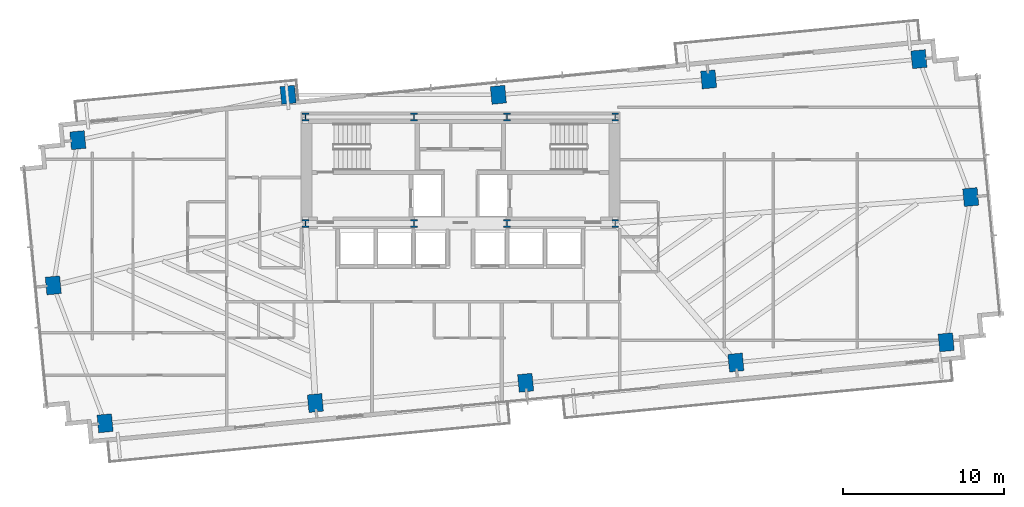
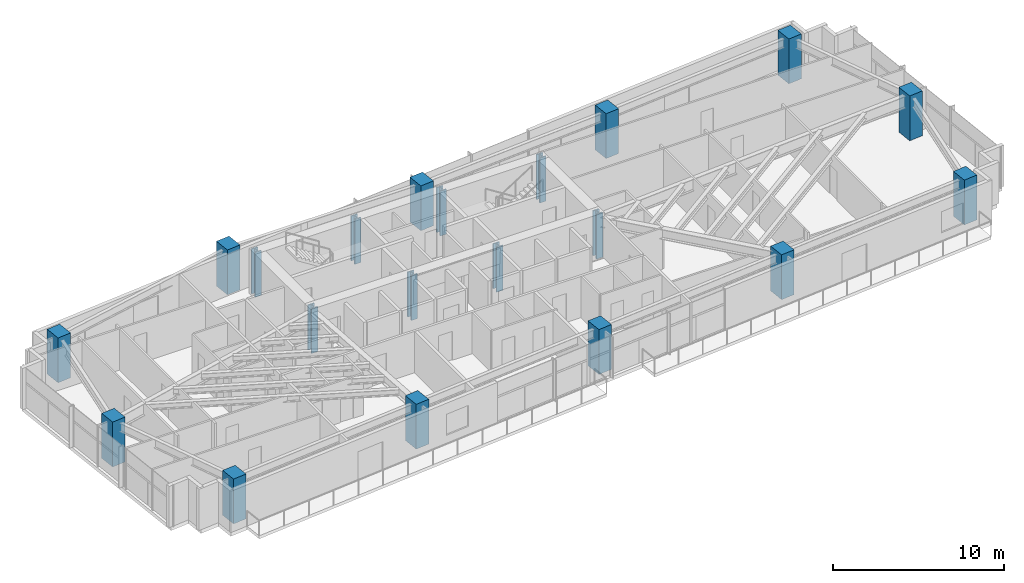
# One storey, part 1 of 25: 20 columns.
"""IFC4 building model written with IfcOpenShell, lengths in metres."""

import ifcopenshell
import ifcopenshell.guid

model = None  # the IFC model being written
_history = None  # IfcOwnerHistory: only IFC2X3 demands one
_inside = {}  # id of a spatial element -> (the spatial element, [elements in it])
_under = {}  # id of a project, library or spatial element -> (it, [spatial elements below it])
_declared = {}  # id of a project -> (the project, [libraries it declares])
_typed = {}  # id of a type object -> (the type object, [elements of that type])
_made_of = {}  # id of a material, layer set ... -> (it, [elements and type objects made of it])


def new_model(schema):
    """Start an empty IFC model of exactly this schema.

    Asked for "IFC4X3", IfcOpenShell would pick the latest addendum, in which some entities
    have other attributes; the version numbers below select the first issue.
    IFC2X3 requires an IfcOwnerHistory on every rooted entity: one is made here for all.
    """
    global model, _history
    if schema == "IFC4X3":
        model = ifcopenshell.file(schema_version=(4, 3, 0, 0))
    else:
        model = ifcopenshell.file(schema=schema)
    _inside.clear()
    _under.clear()
    _declared.clear()
    _typed.clear()
    _made_of.clear()
    _history = None
    if model.schema == "IFC2X3":
        org = make("IfcOrganization", Name="unknown")
        user = make(
            "IfcPersonAndOrganization",
            ThePerson=make("IfcPerson", FamilyName="unknown"),
            TheOrganization=org,
        )
        app = make(
            "IfcApplication",
            ApplicationDeveloper=org,
            Version="unknown",
            ApplicationFullName="unknown",
            ApplicationIdentifier="unknown",
        )
        _history = make(
            "IfcOwnerHistory",
            OwningUser=user,
            OwningApplication=app,
            ChangeAction="ADDED",
            CreationDate=0,
        )
    return model


def make(cls, **values):
    """One entity of the class cls with the attributes given. An attribute that is None is left unset."""
    return model.create_entity(
        cls, **{name: value for name, value in values.items() if value is not None}
    )


def rooted(cls, **values):
    """An entity with a GlobalId (a new one), such as an element, a storey or a relation."""
    return make(cls, GlobalId=ifcopenshell.guid.new(), OwnerHistory=_history, **values)


def si_unit(unit_type, name, prefix=None):
    """IfcSIUnit, for example si_unit("LENGTHUNIT", "METRE", prefix="MILLI")."""
    return make("IfcSIUnit", UnitType=unit_type, Prefix=prefix, Name=name)


def assignment(units):
    """IfcUnitAssignment: the units of a project."""
    return None if units is None else make("IfcUnitAssignment", Units=units)


def point(xyz):
    """IfcCartesianPoint."""
    return None if xyz is None else make("IfcCartesianPoint", Coordinates=xyz)


def direction(xyz):
    """IfcDirection."""
    return None if xyz is None else make("IfcDirection", DirectionRatios=xyz)


def frame(location, z_axis=None, x_axis=None):
    """IfcAxis2Placement3D, a coordinate frame: its origin and axes. An axis left out is left unset."""
    return make(
        "IfcAxis2Placement3D",
        Location=point(location),
        Axis=direction(z_axis),
        RefDirection=direction(x_axis),
    )


def frame_2d(location, x_axis=None):
    """IfcAxis2Placement2D, a coordinate frame in the plane: its origin and x axis."""
    return make(
        "IfcAxis2Placement2D", Location=point(location), RefDirection=direction(x_axis)
    )


def origin():
    """The frame at (0, 0, 0) with its axes left unset."""
    return frame((0.0, 0.0, 0.0))


def origin_2d():
    """The frame at (0, 0) in the plane with its x axis left unset."""
    return frame_2d((0.0, 0.0))


def place(relative_to, where):
    """IfcLocalPlacement: puts the frame where relative to a parent placement (None: the world)."""
    return make(
        "IfcLocalPlacement", PlacementRelTo=relative_to, RelativePlacement=where
    )


def context(
    kind, dimensions, precision=None, world=None, true_north=None, identifier=None
):
    """IfcGeometricRepresentationContext, for example the 3D "Model" context."""
    return make(
        "IfcGeometricRepresentationContext",
        ContextIdentifier=identifier,
        ContextType=kind,
        CoordinateSpaceDimension=dimensions,
        Precision=precision,
        WorldCoordinateSystem=world,
        TrueNorth=true_north,
    )


def subcontext(parent, identifier, kind, view, scale=None):
    """IfcGeometricRepresentationSubContext, for example "Body" below "Model"."""
    return make(
        "IfcGeometricRepresentationSubContext",
        ContextIdentifier=identifier,
        ContextType=kind,
        ParentContext=parent,
        TargetScale=scale,
        TargetView=view,
    )


def project(units=None, contexts=None):
    """IfcProject with its units and contexts."""
    return rooted(
        "IfcProject",
        Name="project",
        RepresentationContexts=contexts,
        UnitsInContext=assignment(units),
    )


def spatial(cls, under=None, at=None, **own):
    """A site, building, storey or space (cls), placed at a placement, below another one or the project."""
    s = rooted(cls, ObjectPlacement=at, **own)
    if under is not None:
        _under.setdefault(under.id(), (under, []))[1].append(s)
    return s


def profile(cls, at=None, kind="AREA", **sizes):
    """A parametric profile (cls). Its sizes go by their IFC names, for example OverallWidth=200.0."""
    return make(cls, ProfileType=kind, Position=at, **sizes)


def rectangle(**sizes):
    """IfcRectangleProfileDef."""
    return profile("IfcRectangleProfileDef", **sizes)


def i_section(**sizes):
    """IfcIShapeProfileDef."""
    return profile("IfcIShapeProfileDef", **sizes)


def extrude(swept, where, along, depth):
    """IfcExtrudedAreaSolid: the profile swept, set in the frame where, extruded along a direction by depth."""
    return make(
        "IfcExtrudedAreaSolid",
        SweptArea=swept,
        Position=where,
        ExtrudedDirection=direction(along),
        Depth=depth,
    )


def shape(context_of_items, identifier, shape_type, items):
    """IfcShapeRepresentation: the items that make up one representation, for example the "Body"."""
    return make(
        "IfcShapeRepresentation",
        ContextOfItems=context_of_items,
        RepresentationIdentifier=identifier,
        RepresentationType=shape_type,
        Items=items,
    )


def source(mapping_origin, context_of_items, identifier, shape_type, items):
    """IfcRepresentationMap: a shape defined once, which mapped items show again and again."""
    return make(
        "IfcRepresentationMap",
        MappingOrigin=mapping_origin,
        MappedRepresentation=shape(context_of_items, identifier, shape_type, items),
    )


def transform(
    local_origin,
    x_axis=None,
    y_axis=None,
    z_axis=None,
    scale=None,
    scale2=None,
    scale3=None,
    uniform=True,
):
    """IfcCartesianTransformationOperator3D, or its non-uniform kind. x_axis, y_axis, z_axis: its Axis1, 2, 3."""
    if uniform:
        return make(
            "IfcCartesianTransformationOperator3D",
            Axis1=direction(x_axis),
            Axis2=direction(y_axis),
            LocalOrigin=point(local_origin),
            Scale=scale,
            Axis3=direction(z_axis),
        )
    return make(
        "IfcCartesianTransformationOperator3DnonUniform",
        Axis1=direction(x_axis),
        Axis2=direction(y_axis),
        LocalOrigin=point(local_origin),
        Scale=scale,
        Axis3=direction(z_axis),
        Scale2=scale2,
        Scale3=scale3,
    )


def mapped(mapping_source, mapping_target):
    """IfcMappedItem: shows the shape of a source again, moved by a transform."""
    return make(
        "IfcMappedItem", MappingSource=mapping_source, MappingTarget=mapping_target
    )


def material(Name=None, Category=None):
    """IfcMaterial."""
    return make("IfcMaterial", Name=Name, Category=Category)


def material_profile(
    of_material, cross_section, Name=None, Category=None, Priority=None
):
    """IfcMaterialProfile: a cross section and its material."""
    return make(
        "IfcMaterialProfile",
        Name=Name,
        Material=of_material,
        Profile=cross_section,
        Priority=Priority,
        Category=Category,
    )


def profile_set(profiles, Name=None, composite=None):
    """IfcMaterialProfileSet."""
    return make(
        "IfcMaterialProfileSet",
        Name=Name,
        MaterialProfiles=profiles,
        CompositeProfile=composite,
    )


def made_of(thing, what):
    """Note that an element or type object is made of a material, layer set ...; save() writes the relation."""
    if what is not None:
        _made_of.setdefault(what.id(), (what, []))[1].append(thing)
    return thing


def type_object(cls, material=None, **own):
    """A type object (cls), such as IfcWallType, which elements share."""
    return made_of(rooted(cls, **own), material)


def type_shapes(of_type, sources):
    """Give a type object the sources (RepresentationMaps) that its elements show as mapped items."""
    of_type.RepresentationMaps = sources


def element(
    cls,
    number,
    at=None,
    inside=None,
    cuts=None,
    type_object=None,
    material=None,
    context=None,
    identifier="Body",
    shape_type=None,
    held_by="IfcProductDefinitionShape",
    body=None,
    shapes=None,
    **own,
):
    """One element of the class cls, such as IfcWall. Its Tag is "e" and its number.

    at: its placement. inside: the storey or other place that contains it. cuts: it is an
    opening in that element (IfcRelVoidsElement). A single representation is given by context,
    identifier, shape_type and body (its items); several are given by shapes. held_by: the class
    of the entity that holds the representations. save() writes the other relations.
    """
    e = rooted(cls, Tag="e%d" % number, ObjectPlacement=at, **own)
    if body is not None:
        shapes = [shape(context, identifier, shape_type, body)]
    if shapes is not None:
        e.Representation = make(held_by, Representations=shapes)
    if inside is not None:
        _inside.setdefault(inside.id(), (inside, []))[1].append(e)
    if cuts is not None:
        rooted(
            "IfcRelVoidsElement", RelatingBuildingElement=cuts, RelatedOpeningElement=e
        )
    if type_object is not None:
        _typed.setdefault(type_object.id(), (type_object, []))[1].append(e)
    return made_of(e, material)


def aggregate(whole, parts):
    """IfcRelAggregates: a whole, such as a stair, and the parts it consists of."""
    return rooted("IfcRelAggregates", RelatingObject=whole, RelatedObjects=parts)


def save(model, path):
    """Write the relations noted so far, then the file.

    IfcRelAggregates (storeys below a building ...), IfcRelContainedInSpatialStructure (elements
    in a storey), IfcRelDefinesByType, IfcRelAssociatesMaterial and IfcRelDeclares: one each for
    every whole, place, type object, material and project.
    """
    for whole, parts in _under.values():
        aggregate(whole, parts)
    for where, things in _inside.values():
        rooted(
            "IfcRelContainedInSpatialStructure",
            RelatedElements=things,
            RelatingStructure=where,
        )
    for kind, things in _typed.values():
        rooted("IfcRelDefinesByType", RelatedObjects=things, RelatingType=kind)
    for what, things in _made_of.values():
        rooted("IfcRelAssociatesMaterial", RelatedObjects=things, RelatingMaterial=what)
    for by, libraries in _declared.values():
        rooted("IfcRelDeclares", RelatingContext=by, RelatedDefinitions=libraries)
    model.write(path)


model = new_model("IFC4")

# Units and contexts
model_context = context("Model", 3, precision=1e-05, world=origin(), true_north=direction((0.0, 1.0)))
body_context = subcontext(model_context, "Body", "Model", "MODEL_VIEW")
ifc_project = project(units=[si_unit("LENGTHUNIT", "METRE"), si_unit("AREAUNIT", "SQUARE_METRE"), si_unit("VOLUMEUNIT", "CUBIC_METRE"), si_unit("PLANEANGLEUNIT", "RADIAN"), si_unit("MASSUNIT", "GRAM", prefix="KILO")], contexts=[model_context])

# Site, building, storey
site_placement = place(None, origin())
site = spatial("IfcSite", under=ifc_project, at=site_placement, CompositionType="ELEMENT")
building_placement = place(site_placement, origin())
building = spatial("IfcBuilding", under=site, at=building_placement, Name="Astriad Promenade Condominiums", CompositionType="ELEMENT")
storey_placement = place(building_placement, frame((0.0, 0.0, 100.199951171875)))
storey = spatial("IfcBuildingStorey", under=building, at=storey_placement, Name="L28", CompositionType="ELEMENT", Elevation=100.199951171875)

# Columns
ifc_material_1 = material(Name="Steel ASTM A992 Grade 50", Category="steel")
ifc_material_profile_1 = material_profile(ifc_material_1, i_section(OverallWidth=0.427490234375, OverallDepth=0.483154296875, WebThickness=0.05126953125, FlangeThickness=0.08154296875, FilletRadius=0.017822265625, at=origin_2d()), Name="W14X455")
ifc_profile_set_1 = profile_set([ifc_material_profile_1], Name="Steel ASTM A992 Grade 50")
column_type_1 = type_object("IfcColumnType", Name="STEEL CORE PILASTER W14X455", PredefinedType="PILASTER", material=ifc_profile_set_1)
shared_shape_1 = source(origin(), body_context, "Body", "SweptSolid", [
    extrude(i_section(OverallWidth=0.427490234375, OverallDepth=0.483154296875, WebThickness=0.05126953125, FlangeThickness=0.08154296875, FilletRadius=0.017822265625, at=origin_2d()), origin(), (0.0, 0.0, 1.0), 3.196044921875),
])
type_shapes(column_type_1, [shared_shape_1])
for number, where, z_axis, x_axis, name in (
    (1, (26.39990234375, 17.39990234375, 0.001953125), (0.0, 0.0, 1.0), (1.0, 0.0, 0.0), "Core Pilaster Column CP1 (L28)"),
    (2, (33.1201171875, 17.39990234375, 0.001953125), (0.0, 0.0, 1.0), (1.0, 0.0, 0.0), "Core Pilaster Column CP2 (L28)"),
    (3, (38.8798828125, 17.39990234375, 0.001953125), (0.0, 0.0, 1.0), (1.0, 0.0, 0.0), "Core Pilaster Column CP3 (L28)"),
    (4, (45.60009765625, 17.39990234375, 0.001953125), (0.0, 0.0, 1.0), (1.0, 0.0, 0.0), "Core Pilaster Column CP4 (L28)"),
    (5, (26.39990234375, 24.0, 0.001953125), (0.0, 0.0, 1.0), (1.0, 0.0, 0.0), "Core Pilaster Column CP5 (L28)"),
    (6, (33.1201171875, 24.0, 0.001953125), (0.0, 0.0, 1.0), (1.0, 0.0, 0.0), "Core Pilaster Column CP6 (L28)"),
    (7, (38.8798828125, 24.0, 0.001953125), (0.0, 0.0, 1.0), (1.0, 0.0, 0.0), "Core Pilaster Column CP7 (L28)"),
    (8, (45.60009765625, 24.0, 0.001953125), (0.0, 0.0, 1.0), (1.0, 0.0, 0.0), "Core Pilaster Column CP8 (L28)"),
):
    element("IfcColumn", number, at=place(storey_placement, frame(where, z_axis=z_axis, x_axis=x_axis)), inside=storey, type_object=column_type_1, Name=name, PredefinedType="PILASTER", context=body_context, shape_type="MappedRepresentation", body=[
        mapped(shared_shape_1, transform((0.0, 0.0, 0.0), scale=1.0)),
    ])
ifc_material_2 = material(Name="Concrete C60/75", Category="concrete")
ifc_material_profile_2 = material_profile(ifc_material_2, rectangle(XDim=0.89990234375, YDim=1.10009765625, at=origin_2d()), Name="RC-COL-1100X900")
ifc_profile_set_2 = profile_set([ifc_material_profile_2], Name="Concrete C60/75")
column_type_2 = type_object("IfcColumnType", Name="CONCRETE TOWER COLUMN 1100X900", PredefinedType="COLUMN", material=ifc_profile_set_2)
shared_shape_2 = source(origin(), body_context, "Body", "SweptSolid", [
    extrude(rectangle(XDim=0.89990234375, YDim=1.10009765625, at=origin_2d()), origin(), (0.0, 0.0, 1.0), 3.196044921875),
])
type_shapes(column_type_2, [shared_shape_2])
for number, where, z_axis, x_axis, name in (
    (9, (13.966064453125, 5.009521484375, 0.001953125), (0.0, 0.0, 1.0), (0.995396198367, 0.09584575252, 0.0), "Perimeter Column PC01 (L28)"),
    (10, (27.005615234375, 6.264892578125, 0.001953125), (0.0, 0.0, 1.0), (0.995396198367, 0.09584575252, 0.0), "Perimeter Column PC02 (L28)"),
    (11, (40.04541015625, 7.5205078125, 0.001953125), (0.0, 0.0, 1.0), (0.995396198367, 0.09584575252, 0.0), "Perimeter Column PC03 (L28)"),
    (12, (53.0849609375, 8.776123046875, 0.001953125), (0.0, 0.0, 1.0), (0.995396198367, 0.09584575252, 0.0), "Perimeter Column PC04 (L28)"),
    (13, (66.124755859375, 10.03173828125, 0.001953125), (0.0, 0.0, 1.0), (0.995396198367, 0.09584575252, 0.0), "Perimeter Column PC05 (L28)"),
    (14, (12.275390625, 22.568115234375, 0.001953125), (0.0, 0.0, 1.0), (0.995396198367, 0.09584575252, 0.0), "Perimeter Column PC06 (L28)"),
    (15, (25.31494140625, 25.3798828125, 0.001953125), (0.0, 0.0, 1.0), (0.995396198367, 0.09584575252, 0.0), "Perimeter Column PC07 (L28)"),
    (16, (38.3544921875, 25.3798828125, 0.001953125), (0.0, 0.0, 1.0), (0.995396198367, 0.09584575252, 0.0), "Perimeter Column PC08 (L28)"),
    (17, (51.394287109375, 26.3349609375, 0.001953125), (0.0, 0.0, 1.0), (0.995396198367, 0.09584575252, 0.0), "Perimeter Column PC09 (L28)"),
    (18, (64.43408203125, 27.590576171875, 0.001953125), (0.0, 0.0, 1.0), (0.995396198367, 0.09584575252, 0.0), "Perimeter Column PC10 (L28)"),
    (19, (10.751708984375, 13.560791015625, 0.001953125), (0.0, 0.0, 1.0), (0.995396198367, 0.09584575252, 0.0), "Perimeter Column PC11 (L28)"),
    (20, (67.6484375, 19.039306640625, 0.001953125), (0.0, 0.0, 1.0), (0.995396198367, 0.09584575252, 0.0), "Perimeter Column PC12 (L28)"),
):
    element("IfcColumn", number, at=place(storey_placement, frame(where, z_axis=z_axis, x_axis=x_axis)), inside=storey, type_object=column_type_2, Name=name, PredefinedType="COLUMN", context=body_context, shape_type="MappedRepresentation", body=[
        mapped(shared_shape_2, transform((0.0, 0.0, 0.0), scale=1.0)),
    ])

save(model, "model.ifc")
